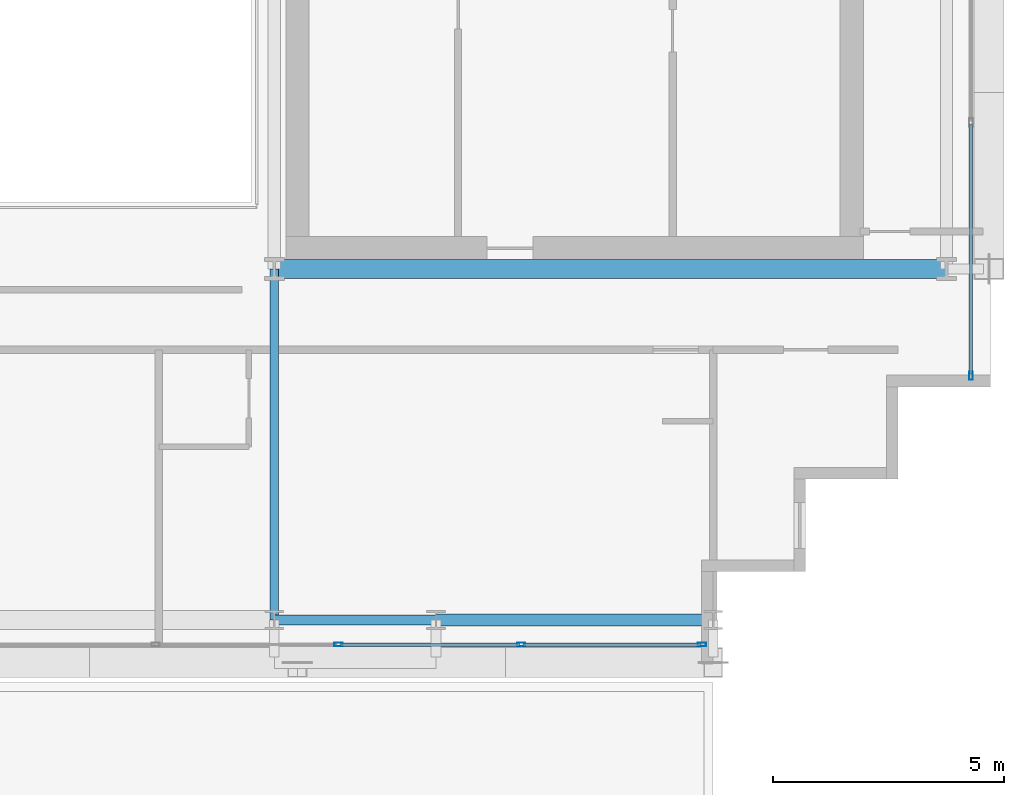
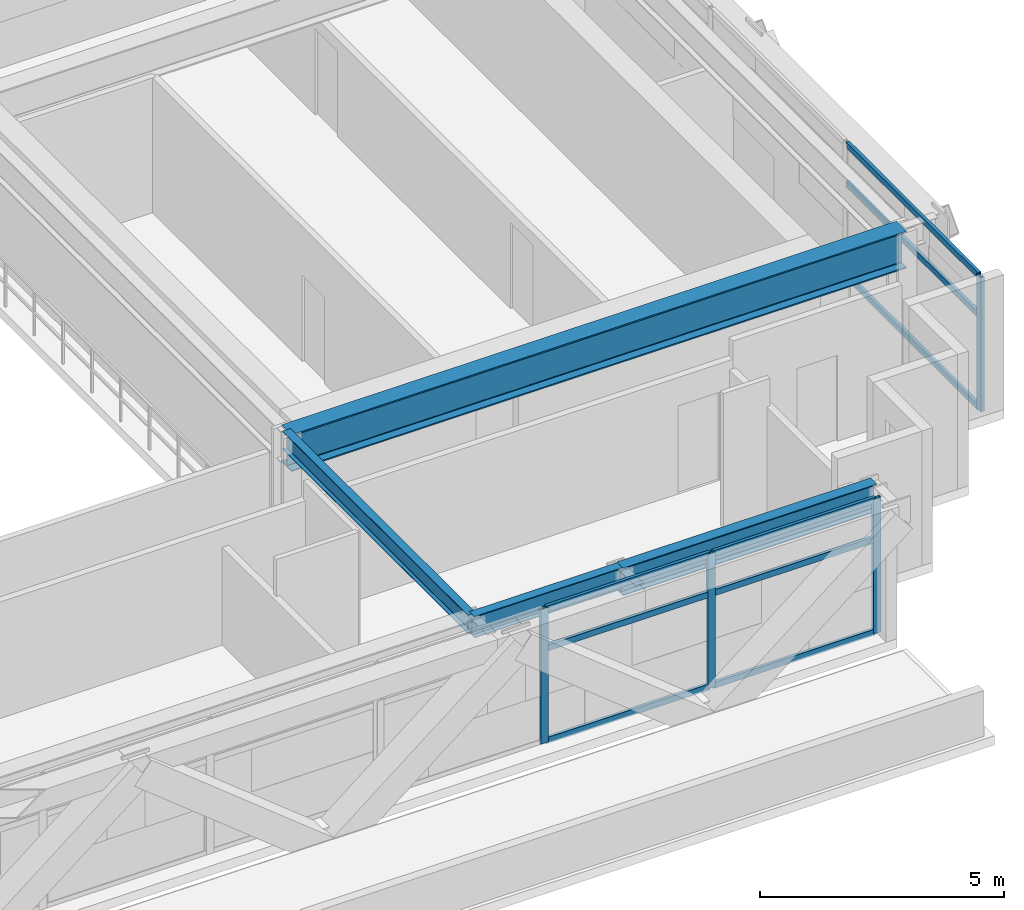
# One storey, part 10 of 34: 13 members, 4 beams, 2 elements without a shape of their own.
"""IFC4 building model written with IfcOpenShell, lengths in metres."""

from ifc_helpers import new_model, si_unit, direction, frame, origin, origin_2d, place, context, subcontext, project, spatial, hollow_rectangle, i_section, extrude, source, transform, mapped, material, layer, layer_set, material_profile, profile_set, type_object, element, aggregate, save


model = new_model("IFC4")

# Units and contexts
model_context = context("Model", 3, precision=1e-05, world=origin(), true_north=direction((0.0, 1.0)))
body_context = subcontext(model_context, "Body", "Model", "MODEL_VIEW")
ifc_project = project(units=[si_unit("LENGTHUNIT", "METRE"), si_unit("AREAUNIT", "SQUARE_METRE"), si_unit("VOLUMEUNIT", "CUBIC_METRE"), si_unit("PLANEANGLEUNIT", "RADIAN"), si_unit("MASSUNIT", "GRAM", prefix="KILO")], contexts=[model_context])

# Site, building, storey
site_placement = place(None, origin())
site = spatial("IfcSite", under=ifc_project, at=site_placement, CompositionType="ELEMENT")
building_placement = place(site_placement, origin())
building = spatial("IfcBuilding", under=site, at=building_placement, Name="Ocotamira Hotel", CompositionType="ELEMENT")
storey_placement = place(building_placement, frame((0.0, 0.0, 163.199951171875)))
storey = spatial("IfcBuildingStorey", under=building, at=storey_placement, Name="L40", CompositionType="ELEMENT", Elevation=163.199951171875)

# Beams
ifc_material_1 = material(Name="Steel ASTM A992 Grade 50", Category="steel")
ifc_material_profile_1 = material_profile(ifc_material_1, i_section(OverallWidth=0.41796875, OverallDepth=0.927001953125, WebThickness=0.019287109375, FlangeThickness=0.031982421875, FilletRadius=0.02392578125, at=origin_2d()), Name="W36X231")
ifc_profile_set_1 = profile_set([ifc_material_profile_1], Name="Steel ASTM A992 Grade 50")
beam_type_1 = type_object("IfcBeamType", Name="BM-GIRD-W36X231", PredefinedType="BEAM", material=ifc_profile_set_1)
shared_shape_1 = source(origin(), body_context, "Body", "SweptSolid", [
    extrude(i_section(OverallWidth=0.41796875, OverallDepth=0.927001953125, WebThickness=0.019287109375, FlangeThickness=0.031982421875, FilletRadius=0.02392578125, at=origin_2d()), origin(), (0.0, 0.0, 1.0), 14.550048828125),
])
beam_1_placement = place(storey_placement, frame((40.5, 14.550048828125, 2.906494140625), z_axis=(1.0, 0.0, 0.0), x_axis=(0.0, 1.0, 0.0)))
element("IfcBeam", 1, at=beam_1_placement, inside=storey, type_object=beam_type_1, Name="L40 Girder Y14.55 X40.5-55.05", PredefinedType="BEAM", context=body_context, shape_type="MappedRepresentation", body=[
    mapped(shared_shape_1, transform((0.0, 0.0, 0.0), scale=1.0)),
])
ifc_material_profile_2 = material_profile(ifc_material_1, i_section(OverallWidth=0.256103515625, OverallDepth=0.693115234375, WebThickness=0.014404296875, FlangeThickness=0.023681640625, FilletRadius=0.01611328125, at=origin_2d()), Name="W27X114")
ifc_profile_set_2 = profile_set([ifc_material_profile_2], Name="Steel ASTM A992 Grade 50")
beam_type_2 = type_object("IfcBeamType", Name="BM-PRIM-W27X114", PredefinedType="BEAM", material=ifc_profile_set_2)
shared_shape_2 = source(origin(), body_context, "Body", "SweptSolid", [
    extrude(i_section(OverallWidth=0.256103515625, OverallDepth=0.693115234375, WebThickness=0.014404296875, FlangeThickness=0.023681640625, FilletRadius=0.01611328125, at=origin_2d()), origin(), (0.0, 0.0, 1.0), 6.0),
])
beam_2_placement = place(storey_placement, frame((44.0, 6.949951171875, 3.0234375), z_axis=(1.0, 0.0, 0.0), x_axis=(0.0, 1.0, 0.0)))
element("IfcBeam", 2, at=beam_2_placement, inside=storey, type_object=beam_type_2, Name="L40 Girder Y6.95 X44-50", PredefinedType="BEAM", context=body_context, shape_type="MappedRepresentation", body=[
    mapped(shared_shape_2, transform((0.0, 0.0, 0.0), scale=1.0)),
])
ifc_material_profile_3 = material_profile(ifc_material_1, i_section(OverallWidth=0.2099609375, OverallDepth=0.537109375, WebThickness=0.010986328125, FlangeThickness=0.017333984375, FilletRadius=0.012939453125, at=origin_2d()), Name="W21X68")
ifc_profile_set_3 = profile_set([ifc_material_profile_3], Name="Steel ASTM A992 Grade 50")
beam_type_3 = type_object("IfcBeamType", Name="BM-SEC-W21X68", PredefinedType="JOIST", material=ifc_profile_set_3)
shared_shape_3 = source(origin(), body_context, "Body", "SweptSolid", [
    extrude(i_section(OverallWidth=0.2099609375, OverallDepth=0.537109375, WebThickness=0.010986328125, FlangeThickness=0.017333984375, FilletRadius=0.012939453125, at=origin_2d()), origin(), (0.0, 0.0, 1.0), 3.5),
])
beam_3_placement = place(storey_placement, frame((40.5, 6.949951171875, 3.1015625), z_axis=(1.0, 0.0, 0.0), x_axis=(0.0, 1.0, 0.0)))
element("IfcBeam", 3, at=beam_3_placement, inside=storey, type_object=beam_type_3, Name="L40 Girder Y6.95 X40.5-44", PredefinedType="JOIST", context=body_context, shape_type="MappedRepresentation", body=[
    mapped(shared_shape_3, transform((0.0, 0.0, 0.0), scale=1.0)),
])
ifc_material_profile_4 = material_profile(ifc_material_1, i_section(OverallWidth=0.18994140625, OverallDepth=0.45703125, WebThickness=0.009033203125, FlangeThickness=0.014404296875, FilletRadius=0.010009765625, at=origin_2d()), Name="W18X50")
ifc_profile_set_4 = profile_set([ifc_material_profile_4], Name="Steel ASTM A992 Grade 50")
beam_type_4 = type_object("IfcBeamType", Name="BM-SEC-W18X50", PredefinedType="JOIST", material=ifc_profile_set_4)
shared_shape_4 = source(origin(), body_context, "Body", "SweptSolid", [
    extrude(i_section(OverallWidth=0.18994140625, OverallDepth=0.45703125, WebThickness=0.009033203125, FlangeThickness=0.014404296875, FilletRadius=0.010009765625, at=origin_2d()), origin(), (0.0, 0.0, 1.0), 7.60009765625),
])
beam_4_placement = place(storey_placement, frame((40.5, 6.949951171875, 3.1416015625), z_axis=(0.0, 1.0, 0.0), x_axis=(-1.0, 0.0, 0.0)))
element("IfcBeam", 4, at=beam_4_placement, inside=storey, type_object=beam_type_4, Name="L40 Beam X40.5 Y6.95-14.55", PredefinedType="JOIST", context=body_context, shape_type="MappedRepresentation", body=[
    mapped(shared_shape_4, transform((0.0, 0.0, 0.0), scale=1.0)),
])

# Curtain wall, members
ifc_material_2 = material(Name="Anodised pale-metal aluminium and solar glass", Category="aluminium")
ifc_layer = layer(ifc_material_2, 0.199951171875)
ifc_layer_set = layer_set([ifc_layer], Name="Anodised pale-metal aluminium and solar glass")
curtain_wall_type = type_object("IfcCurtainWallType", Name="CW-SYS4-Z3", PredefinedType="NOTDEFINED", material=ifc_layer_set)
curtain_wall_1_placement = place(storey_placement, origin())
curtain_wall_1 = element("IfcCurtainWall", 5, at=curtain_wall_1_placement, inside=storey, type_object=curtain_wall_type, Name="L40 Curtain Wall CW-4 CW-L40-S1", PredefinedType="NOTDEFINED")
ifc_material_3 = material(Name="Anodised pale-metal aluminium 6063-T6", Category="aluminium")
ifc_material_profile_5 = material_profile(ifc_material_3, hollow_rectangle(XDim=0.074951171875, YDim=0.14990234375, WallThickness=0.006103515625, at=origin_2d()), Name="HSS150X75X6")
ifc_profile_set_5 = profile_set([ifc_material_profile_5], Name="Anodised pale-metal aluminium 6063-T6")
member_type_1 = type_object("IfcMemberType", Name="CWT-150X75", PredefinedType="USERDEFINED", material=ifc_profile_set_5)
shared_shape_5 = source(origin(), body_context, "Body", "SweptSolid", [
    extrude(hollow_rectangle(XDim=0.074951171875, YDim=0.14990234375, WallThickness=0.006103515625, at=origin_2d()), origin(), (0.0, 0.0, 1.0), 3.83544921875),
])
member_1_placement = place(storey_placement, frame((45.884521484375, 6.419921875, 0.03759765625), z_axis=(1.0, 0.0, 0.0), x_axis=(0.0, 1.0, 0.0)))
member_1 = element("IfcMember", 6, at=member_1_placement, type_object=member_type_1, Name="CW-4 transom 9.1", ObjectType="TRANSOM", PredefinedType="USERDEFINED", context=body_context, shape_type="MappedRepresentation", body=[
    mapped(shared_shape_5, transform((0.0, 0.0, 0.0), scale=1.0)),
])
member_2_placement = place(storey_placement, frame((45.884521484375, 6.419921875, 2.35009765625), z_axis=(1.0, 0.0, 0.0), x_axis=(0.0, 1.0, 0.0)))
member_2 = element("IfcMember", 7, at=member_2_placement, type_object=member_type_1, Name="CW-4 transom 9.2", ObjectType="TRANSOM", PredefinedType="USERDEFINED", context=body_context, shape_type="MappedRepresentation", body=[
    mapped(shared_shape_5, transform((0.0, 0.0, 0.0), scale=1.0)),
])
member_3_placement = place(storey_placement, frame((45.884521484375, 6.419921875, 3.33251953125), z_axis=(1.0, 0.0, 0.0), x_axis=(0.0, 1.0, 0.0)))
member_3 = element("IfcMember", 8, at=member_3_placement, type_object=member_type_1, Name="CW-4 transom 9.3", ObjectType="TRANSOM", PredefinedType="USERDEFINED", context=body_context, shape_type="MappedRepresentation", body=[
    mapped(shared_shape_5, transform((0.0, 0.0, 0.0), scale=1.0)),
])
shared_shape_6 = source(origin(), body_context, "Body", "SweptSolid", [
    extrude(hollow_rectangle(XDim=0.074951171875, YDim=0.14990234375, WallThickness=0.006103515625, at=origin_2d()), origin(), (0.0, 0.0, 1.0), 3.87548828125),
])
member_4_placement = place(storey_placement, frame((41.928955078125, 6.419921875, 0.03759765625), z_axis=(1.0, 0.0, 0.0), x_axis=(0.0, 1.0, 0.0)))
member_4 = element("IfcMember", 9, at=member_4_placement, type_object=member_type_1, Name="CW-4 transom 8.1", ObjectType="TRANSOM", PredefinedType="USERDEFINED", context=body_context, shape_type="MappedRepresentation", body=[
    mapped(shared_shape_6, transform((0.0, 0.0, 0.0), scale=1.0)),
])
member_5_placement = place(storey_placement, frame((41.928955078125, 6.419921875, 2.35009765625), z_axis=(1.0, 0.0, 0.0), x_axis=(0.0, 1.0, 0.0)))
member_5 = element("IfcMember", 10, at=member_5_placement, type_object=member_type_1, Name="CW-4 transom 8.2", ObjectType="TRANSOM", PredefinedType="USERDEFINED", context=body_context, shape_type="MappedRepresentation", body=[
    mapped(shared_shape_6, transform((0.0, 0.0, 0.0), scale=1.0)),
])
member_6_placement = place(storey_placement, frame((41.928955078125, 6.419921875, 3.33251953125), z_axis=(1.0, 0.0, 0.0), x_axis=(0.0, 1.0, 0.0)))
member_6 = element("IfcMember", 11, at=member_6_placement, type_object=member_type_1, Name="CW-4 transom 8.3", ObjectType="TRANSOM", PredefinedType="USERDEFINED", context=body_context, shape_type="MappedRepresentation", body=[
    mapped(shared_shape_6, transform((0.0, 0.0, 0.0), scale=1.0)),
])
ifc_material_profile_6 = material_profile(ifc_material_3, hollow_rectangle(XDim=0.080078125, YDim=0.179931640625, WallThickness=0.006103515625, at=origin_2d()), Name="HSS180X80X6")
ifc_profile_set_6 = profile_set([ifc_material_profile_6], Name="Anodised pale-metal aluminium 6063-T6")
member_type_2 = type_object("IfcMemberType", Name="CWM-180X75", PredefinedType="MULLION", material=ifc_profile_set_6)
shared_shape_7 = source(origin(), body_context, "Body", "SweptSolid", [
    extrude(hollow_rectangle(XDim=0.080078125, YDim=0.179931640625, WallThickness=0.006103515625, at=origin_2d()), origin(), (0.0, 0.0, 1.0), 3.3701171875),
])
member_7_placement = place(storey_placement, frame((41.888916015625, 6.419921875, 0.0), z_axis=(0.0, 0.0, 1.0), x_axis=(0.0, 1.0, 0.0)))
member_7 = element("IfcMember", 12, at=member_7_placement, type_object=member_type_2, Name="CW-4 mullion 8", PredefinedType="MULLION", context=body_context, shape_type="MappedRepresentation", body=[
    mapped(shared_shape_7, transform((0.0, 0.0, 0.0), scale=1.0)),
])
member_8_placement = place(storey_placement, frame((45.844482421875, 6.419921875, 0.0), z_axis=(0.0, 0.0, 1.0), x_axis=(0.0, 1.0, 0.0)))
member_8 = element("IfcMember", 13, at=member_8_placement, type_object=member_type_2, Name="CW-4 mullion 9", PredefinedType="MULLION", context=body_context, shape_type="MappedRepresentation", body=[
    mapped(shared_shape_7, transform((0.0, 0.0, 0.0), scale=1.0)),
])
member_9_placement = place(storey_placement, frame((49.760009765625, 6.419921875, 0.0), z_axis=(0.0, 0.0, 1.0), x_axis=(0.0, 1.0, 0.0)))
member_9 = element("IfcMember", 14, at=member_9_placement, type_object=member_type_2, Name="CW-4 mullion 10", PredefinedType="MULLION", context=body_context, shape_type="MappedRepresentation", body=[
    mapped(shared_shape_7, transform((0.0, 0.0, 0.0), scale=1.0)),
])
aggregate(curtain_wall_1, [member_7, member_8, member_9, member_4, member_5, member_6, member_1, member_2, member_3])

curtain_wall_2_placement = place(storey_placement, origin())
curtain_wall_2 = element("IfcCurtainWall", 15, at=curtain_wall_2_placement, inside=storey, type_object=curtain_wall_type, Name="L40 Curtain Wall CW-4 CW-L40-E", PredefinedType="NOTDEFINED")
member_10_placement = place(storey_placement, frame((55.580078125, 12.239990234375, 0.0), z_axis=(0.0, 0.0, 1.0), x_axis=(-1.0, 0.0, 0.0)))
member_10 = element("IfcMember", 16, at=member_10_placement, type_object=member_type_2, Name="CW-4 mullion 1", PredefinedType="MULLION", context=body_context, shape_type="MappedRepresentation", body=[
    mapped(shared_shape_7, transform((0.0, 0.0, 0.0), scale=1.0)),
])
shared_shape_8 = source(origin(), body_context, "Body", "SweptSolid", [
    extrude(hollow_rectangle(XDim=0.074951171875, YDim=0.14990234375, WallThickness=0.006103515625, at=origin_2d()), origin(), (0.0, 0.0, 1.0), 5.39990234375),
])
member_11_placement = place(storey_placement, frame((55.580078125, 12.280029296875, 0.03759765625), z_axis=(0.0, 1.0, 0.0), x_axis=(-1.0, 0.0, 0.0)))
member_11 = element("IfcMember", 17, at=member_11_placement, type_object=member_type_1, Name="CW-4 transom 1.1", ObjectType="TRANSOM", PredefinedType="USERDEFINED", context=body_context, shape_type="MappedRepresentation", body=[
    mapped(shared_shape_8, transform((0.0, 0.0, 0.0), scale=1.0)),
])
member_12_placement = place(storey_placement, frame((55.580078125, 12.280029296875, 2.35009765625), z_axis=(0.0, 1.0, 0.0), x_axis=(-1.0, 0.0, 0.0)))
member_12 = element("IfcMember", 18, at=member_12_placement, type_object=member_type_1, Name="CW-4 transom 1.2", ObjectType="TRANSOM", PredefinedType="USERDEFINED", context=body_context, shape_type="MappedRepresentation", body=[
    mapped(shared_shape_8, transform((0.0, 0.0, 0.0), scale=1.0)),
])
member_13_placement = place(storey_placement, frame((55.580078125, 12.280029296875, 3.33251953125), z_axis=(0.0, 1.0, 0.0), x_axis=(-1.0, 0.0, 0.0)))
member_13 = element("IfcMember", 19, at=member_13_placement, type_object=member_type_1, Name="CW-4 transom 1.3", ObjectType="TRANSOM", PredefinedType="USERDEFINED", context=body_context, shape_type="MappedRepresentation", body=[
    mapped(shared_shape_8, transform((0.0, 0.0, 0.0), scale=1.0)),
])
aggregate(curtain_wall_2, [member_10, member_11, member_12, member_13])

save(model, "model.ifc")
